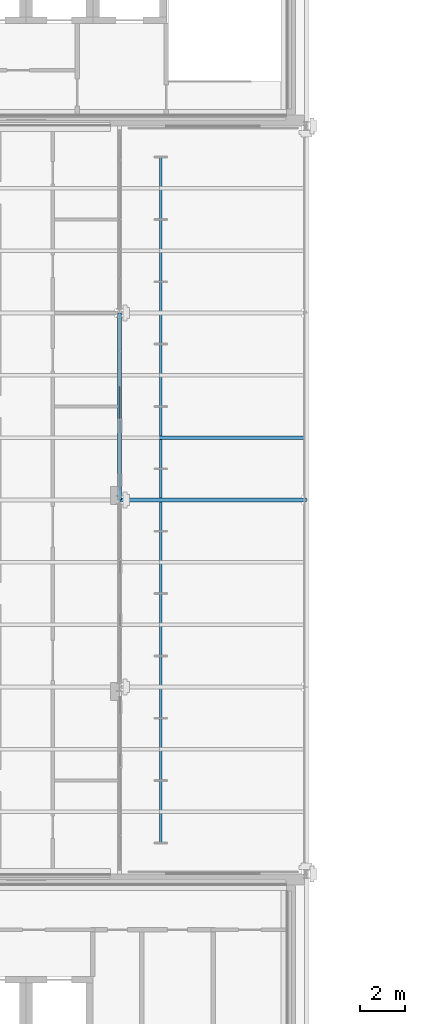
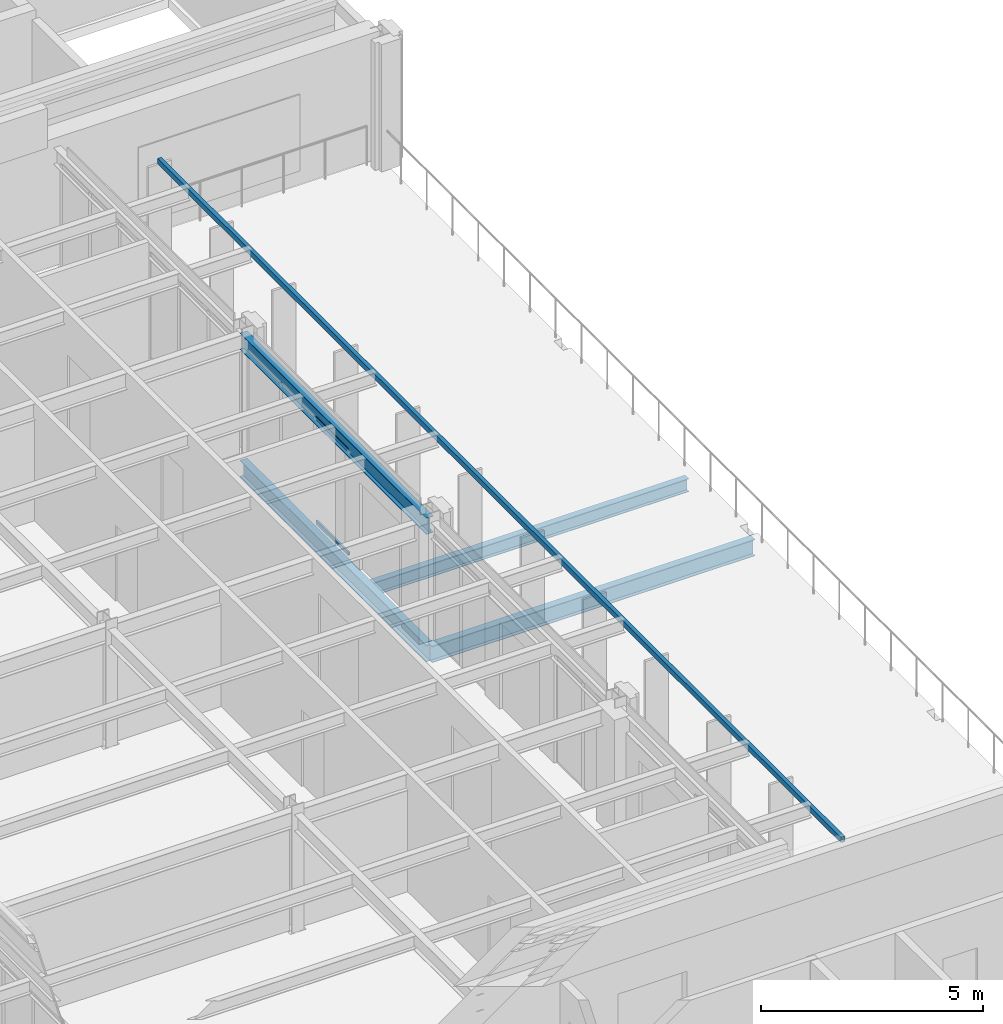
# One storey, part 18 of 31: 4 beams, 3 members, 1 element without a shape of its own.
"""IFC4 building model written with IfcOpenShell, lengths in metres."""

from ifc_helpers import new_model, si_unit, direction, frame, origin, origin_2d, place, context, subcontext, project, spatial, hollow_rectangle, i_section, extrude, material, material_profile, profile_set, type_object, element, aggregate, save


model = new_model("IFC4")

# Units and contexts
model_context = context("Model", 3, precision=1e-05, world=origin(), true_north=direction((0.0, 1.0)))
body_context = subcontext(model_context, "Body", "Model", "MODEL_VIEW")
ifc_project = project(units=[si_unit("LENGTHUNIT", "METRE"), si_unit("AREAUNIT", "SQUARE_METRE"), si_unit("VOLUMEUNIT", "CUBIC_METRE"), si_unit("PLANEANGLEUNIT", "RADIAN"), si_unit("MASSUNIT", "GRAM", prefix="KILO")], contexts=[model_context])

# Site, building, storey
site_placement = place(None, origin())
site = spatial("IfcSite", under=ifc_project, at=site_placement, CompositionType="ELEMENT")
building_placement = place(site_placement, origin())
building = spatial("IfcBuilding", under=site, at=building_placement, Name="Catenary Quay Ferry Terminal", CompositionType="ELEMENT")
storey_placement = place(building_placement, frame((0.0, 0.0, 20.60009765625)))
storey = spatial("IfcBuildingStorey", under=building, at=storey_placement, Name="L04", CompositionType="ELEMENT", Elevation=20.60009765625)

# Beams
ifc_material_1 = material(Name="Steel S355", Category="steel")
ifc_material_profile_1 = material_profile(ifc_material_1, i_section(OverallWidth=0.18994140625, OverallDepth=0.453369140625, WebThickness=0.008544921875, FlangeThickness=0.0126953125, at=origin_2d()), Name="UB 457x191x67")
ifc_profile_set_1 = profile_set([ifc_material_profile_1], Name="Steel S355")
beam_type_1 = type_object("IfcBeamType", Name="B1 UB 457x191x67", PredefinedType="BEAM", material=ifc_profile_set_1)
for number, where, z_axis, x_axis, name in (
    (1, (42.0, 184.800048828125, -0.47705078125), (1.0, 0.0, 0.0), (0.0, 1.0, 0.0), "Beam B1-006"),
    (2, (42.0, 184.800048828125, -0.47705078125), (0.0, 1.0, 0.0), (-1.0, 0.0, 0.0), "Beam B1-028"),
    (3, (42.0, 184.800048828125, 3.02294921875), (0.0, 1.0, 0.0), (-1.0, 0.0, 0.0), "Beam B1-021"),
):
    element("IfcBeam", number, at=place(storey_placement, frame(where, z_axis=z_axis, x_axis=x_axis)), inside=storey, type_object=beam_type_1, Name=name, PredefinedType="BEAM", context=body_context, shape_type="SweptSolid", body=[
        extrude(i_section(OverallWidth=0.18994140625, OverallDepth=0.453369140625, WebThickness=0.008544921875, FlangeThickness=0.0126953125, at=origin_2d()), origin(), (0.0, 0.0, 1.0), 8.39990234375),
    ])
ifc_material_2 = material(Name="Steel S355", Category="steel")
ifc_material_profile_2 = material_profile(ifc_material_2, i_section(OverallWidth=0.169921875, OverallDepth=0.360107421875, WebThickness=0.008056640625, FlangeThickness=0.0126953125, at=origin_2d()), Name="IPE 360")
ifc_profile_set_2 = profile_set([ifc_material_profile_2], Name="Steel S355")
beam_type_2 = type_object("IfcBeamType", Name="B7 IPE 360", PredefinedType="BEAM", material=ifc_profile_set_2)
beam_placement = place(storey_placement, frame((42.094970703125, 187.60009765625, -0.43017578125), z_axis=(1.0, 0.0, 0.0), x_axis=(0.0, 1.0, 0.0)))
element("IfcBeam", 4, at=beam_placement, inside=storey, type_object=beam_type_2, Name="Beam B7-015", PredefinedType="BEAM", context=body_context, shape_type="SweptSolid", body=[
    extrude(i_section(OverallWidth=0.169921875, OverallDepth=0.360107421875, WebThickness=0.008056640625, FlangeThickness=0.0126953125, at=origin_2d()), origin(), (0.0, 0.0, 1.0), 8.2099609375),
])

# Member
ifc_material_3 = material(Name="Aluminium", Category="aluminium")
ifc_material_profile_3 = material_profile(ifc_material_3, hollow_rectangle(XDim=0.10009765625, YDim=0.14990234375, WallThickness=0.006103515625, at=origin_2d()), Name="SR1")
ifc_profile_set_3 = profile_set([ifc_material_profile_3], Name="Aluminium")
member_type_1 = type_object("IfcMemberType", Name="SR1", PredefinedType="USERDEFINED", material=ifc_profile_set_3)
member_1_placement = place(storey_placement, frame((43.85009765625, 169.39990234375, 3.06982421875), z_axis=(0.0, 1.0, 0.0), x_axis=(1.0, 0.0, 0.0)))
element("IfcMember", 5, at=member_1_placement, inside=storey, type_object=member_type_1, Name="Screen rail E", ObjectType="RAIL", PredefinedType="USERDEFINED", context=body_context, shape_type="SweptSolid", body=[
    extrude(hollow_rectangle(XDim=0.10009765625, YDim=0.14990234375, WallThickness=0.006103515625, at=origin_2d()), origin(), (0.0, 0.0, 1.0), 30.800048828125),
])

# Curtain wall, members
ifc_material_4 = material(Name="Aluminium and glass", Category="aluminium")
curtain_wall_type = type_object("IfcCurtainWallType", Name="CWW5", PredefinedType="NOTDEFINED", material=ifc_material_4)
curtain_wall_placement = place(storey_placement, origin())
curtain_wall = element("IfcCurtainWall", 6, at=curtain_wall_placement, inside=storey, type_object=curtain_wall_type, Name="Wing curtain wall CW161", PredefinedType="NOTDEFINED")
ifc_material_5 = material(Name="Aluminium", Category="aluminium")
ifc_material_profile_4 = material_profile(ifc_material_5, hollow_rectangle(XDim=0.050048828125, YDim=0.10009765625, WallThickness=0.00390625, at=origin_2d()), Name="TR4")
ifc_profile_set_4 = profile_set([ifc_material_profile_4], Name="Aluminium")
member_type_2 = type_object("IfcMemberType", Name="TR4", PredefinedType="USERDEFINED", material=ifc_profile_set_4)
member_2_placement = place(storey_placement, frame((42.0, 188.4599609375, 0.02490234375), z_axis=(0.0, 1.0, 0.0), x_axis=(-1.0, 0.0, 0.0)))
member_2 = element("IfcMember", 7, at=member_2_placement, type_object=member_type_2, Name="CW161 transom 1.1", ObjectType="TRANSOM", PredefinedType="USERDEFINED", context=body_context, shape_type="SweptSolid", body=[
    extrude(hollow_rectangle(XDim=0.050048828125, YDim=0.10009765625, WallThickness=0.00390625, at=origin_2d()), origin(), (0.0, 0.0, 1.0), 1.443359375),
])
member_3_placement = place(storey_placement, frame((42.0, 188.4599609375, 2.875), z_axis=(0.0, 1.0, 0.0), x_axis=(-1.0, 0.0, 0.0)))
member_3 = element("IfcMember", 8, at=member_3_placement, type_object=member_type_2, Name="CW161 transom 1.2", ObjectType="TRANSOM", PredefinedType="USERDEFINED", context=body_context, shape_type="SweptSolid", body=[
    extrude(hollow_rectangle(XDim=0.050048828125, YDim=0.10009765625, WallThickness=0.00390625, at=origin_2d()), origin(), (0.0, 0.0, 1.0), 1.443359375),
])
aggregate(curtain_wall, [member_2, member_3])

save(model, "model.ifc")
